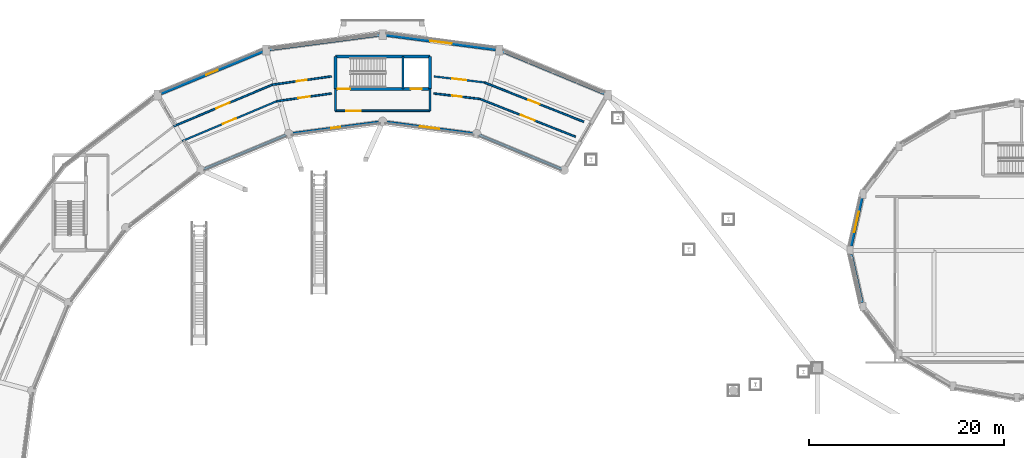
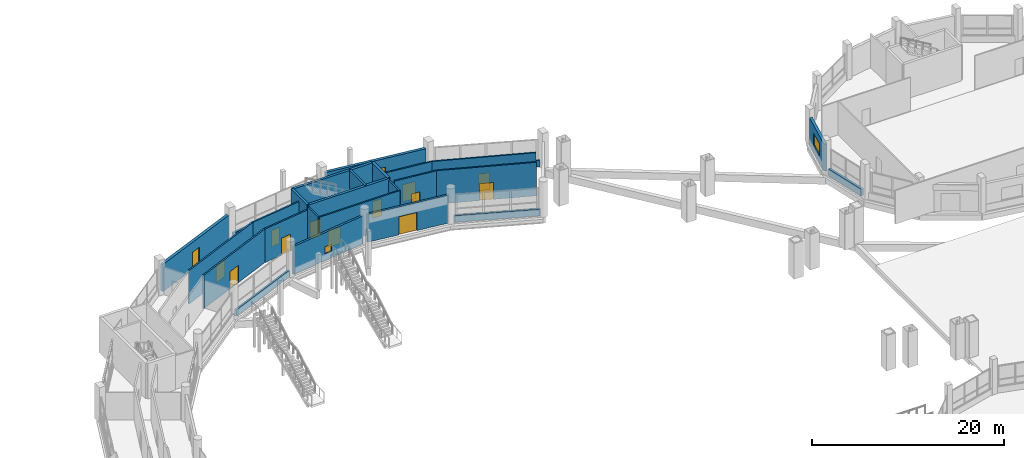
# One storey, part 110 of 129: 26 walls, 14 doors, 2 windows, 16 openings.
"""IFC4 building model written with IfcOpenShell, lengths in metres."""

from ifc_helpers import new_model, si_unit, direction, frame, frame_2d, origin, place, context, subcontext, project, spatial, rectangle, extrude, material, layer, layer_set, type_object, element, fill, save


model = new_model("IFC4")

# Units and contexts
model_context = context("Model", 3, precision=1e-05, world=origin(), true_north=direction((0.0, 1.0)))
body_context = subcontext(model_context, "Body", "Model", "MODEL_VIEW")
ifc_project = project(units=[si_unit("LENGTHUNIT", "METRE"), si_unit("AREAUNIT", "SQUARE_METRE"), si_unit("VOLUMEUNIT", "CUBIC_METRE"), si_unit("PLANEANGLEUNIT", "RADIAN"), si_unit("MASSUNIT", "GRAM", prefix="KILO")], contexts=[model_context])

# Site, building, storey
site_placement = place(None, origin())
site = spatial("IfcSite", under=ifc_project, at=site_placement, CompositionType="ELEMENT")
building_placement = place(site_placement, origin())
building = spatial("IfcBuilding", under=site, at=building_placement, Name="Vespera Passage Community Centre", CompositionType="ELEMENT")
storey_placement = place(building_placement, origin())
storey = spatial("IfcBuildingStorey", under=building, at=storey_placement, Name="L00", CompositionType="ELEMENT", Elevation=0.0)

# Wall, openings, doors
ifc_material_1 = material(Name="Concrete f'c 45 MPa", Category="concrete")
ifc_layer_1 = layer(ifc_material_1, 0.300048828125)
ifc_layer_set_1 = layer_set([ifc_layer_1], Name="Concrete f'c 45 MPa")
wall_type_1 = type_object("IfcWallType", Name="WT-CORE-300I", PredefinedType="SHEAR", material=ifc_layer_set_1)
wall_1_placement = place(storey_placement, frame((82.844970703125, 106.050048828125, 0.0), z_axis=(0.0, 0.0, 1.0), x_axis=(-1.0, 0.0, 0.0)))
wall_1 = element("IfcWall", 1, at=wall_1_placement, inside=storey, type_object=wall_type_1, Name="Core C4 L00 Shear Wall FRONT", PredefinedType="SHEAR", context=body_context, shape_type="SweptSolid", body=[
    extrude(rectangle(XDim=9.68994140625, YDim=0.300048828125, at=frame_2d((4.844970703125, 0.0))), origin(), (0.0, 0.0, 1.0), 4.5),
])
opening_1_placement = place(wall_1_placement, frame((8.169921875, 0.0, 0.0)))
opening_1 = element("IfcOpeningElement", 2, at=opening_1_placement, cuts=wall_1, Name="Opening DT-STAIR-130", PredefinedType="OPENING", context=body_context, shape_type="SweptSolid", body=[
    extrude(rectangle(XDim=1.300048828125, YDim=2.14990234375, at=frame_2d((0.64990234375, 1.074951171875))), frame((0.0, 0.159912109375, 0.0), z_axis=(0.0, -1.0, 0.0), x_axis=(1.0, 0.0, 0.0)), (0.0, 0.0, 1.0), 0.320068359375),
])
opening_2_placement = place(wall_1_placement, frame((0.85009765625, 0.0, 0.0)))
opening_2 = element("IfcOpeningElement", 3, at=opening_2_placement, cuts=wall_1, Name="Opening DT-LIFT-110", PredefinedType="OPENING", context=body_context, shape_type="SweptSolid", body=[
    extrude(rectangle(XDim=1.10009765625, YDim=2.14990234375, at=frame_2d((0.550048828125, 1.074951171875))), frame((0.0, 0.159912109375, 0.0), z_axis=(0.0, -1.0, 0.0), x_axis=(1.0, 0.0, 0.0)), (0.0, 0.0, 1.0), 0.320068359375),
])
ifc_material_2 = material(Name="Painted hollow-metal acoustic door", Category="steel")
door_type_1 = type_object("IfcDoorType", Name="DT-LIFT-110", OperationType="NOTDEFINED", PredefinedType="DOOR", material=ifc_material_2)
door_1_placement = place(opening_2_placement, origin())
door_1 = element("IfcDoor", 4, at=door_1_placement, inside=storey, type_object=door_type_1, Name="Elevator EL-02 L00 Landing Door LD-017", OperationType="SLIDING_TO_LEFT", OverallHeight=2.14990234375, OverallWidth=1.10009765625, PredefinedType="DOOR", context=body_context, shape_type="SweptSolid", body=[
    extrude(rectangle(XDim=1.10009765625, YDim=2.14990234375, at=frame_2d((0.550048828125, 1.074951171875))), frame((0.0, 0.02490234375, 0.0), z_axis=(0.0, -1.0, 0.0), x_axis=(1.0, 0.0, 0.0)), (0.0, 0.0, 1.0), 0.050048828125),
])
fill(opening_2, door_1)
ifc_material_3 = material(Name="Painted hollow-metal acoustic door", Category="steel")
door_type_2 = type_object("IfcDoorType", Name="DT-STAIR-130", OperationType="NOTDEFINED", PredefinedType="DOOR", material=ifc_material_3)
door_2_placement = place(opening_1_placement, origin())
door_2 = element("IfcDoor", 5, at=door_2_placement, inside=storey, type_object=door_type_2, Name="Core C4 L00 Exit Stair Door D-088", OperationType="SINGLE_SWING_RIGHT", OverallHeight=2.14990234375, OverallWidth=1.300048828125, PredefinedType="DOOR", context=body_context, shape_type="SweptSolid", body=[
    extrude(rectangle(XDim=1.300048828125, YDim=2.14990234375, at=frame_2d((0.64990234375, 1.074951171875))), frame((0.0, 0.02490234375, 0.0), z_axis=(0.0, -1.0, 0.0), x_axis=(1.0, 0.0, 0.0)), (0.0, 0.0, 1.0), 0.050048828125),
])
fill(opening_1, door_2)

# Walls
wall_2_placement = place(storey_placement, frame((73.155029296875, 106.050048828125, 0.0), z_axis=(0.0, 0.0, 1.0), x_axis=(0.0, 1.0, 0.0)))
element("IfcWall", 6, at=wall_2_placement, inside=storey, type_object=wall_type_1, Name="Core C4 L00 Shear Wall LEFT", PredefinedType="SHEAR", context=body_context, shape_type="SweptSolid", body=[
    extrude(rectangle(XDim=3.300048828125, YDim=0.300048828125, at=frame_2d((1.64990234375, 0.0))), origin(), (0.0, 0.0, 1.0), 4.5),
])
wall_3_placement = place(storey_placement, frame((73.155029296875, 109.35009765625, 0.0), z_axis=(0.0, 0.0, 1.0), x_axis=(1.0, 0.0, 0.0)))
element("IfcWall", 7, at=wall_3_placement, inside=storey, type_object=wall_type_1, Name="Core C4 L00 Shear Wall BACK", PredefinedType="SHEAR", context=body_context, shape_type="SweptSolid", body=[
    extrude(rectangle(XDim=9.68994140625, YDim=0.300048828125, at=frame_2d((4.844970703125, 0.0))), origin(), (0.0, 0.0, 1.0), 4.5),
])
wall_4_placement = place(storey_placement, frame((82.844970703125, 109.35009765625, 0.0), z_axis=(0.0, 0.0, 1.0), x_axis=(0.0, -1.0, 0.0)))
element("IfcWall", 8, at=wall_4_placement, inside=storey, type_object=wall_type_1, Name="Core C4 L00 Shear Wall RIGHT", PredefinedType="SHEAR", context=body_context, shape_type="SweptSolid", body=[
    extrude(rectangle(XDim=3.300048828125, YDim=0.300048828125, at=frame_2d((1.64990234375, 0.0))), origin(), (0.0, 0.0, 1.0), 4.5),
])

# Wall, opening, door
ifc_material_4 = material(Name="Gypsum board acoustic stud partition")
ifc_layer_2 = layer(ifc_material_4, 0.179931640625)
ifc_layer_set_2 = layer_set([ifc_layer_2], Name="Gypsum board acoustic stud partition")
wall_type_2 = type_object("IfcWallType", Name="WT-CORR-180I", PredefinedType="PARTITIONING", material=ifc_layer_set_2)
wall_5_placement = place(storey_placement, frame((73.155029296875, 103.800048828125, 0.0), z_axis=(0.0, 0.0, 1.0), x_axis=(1.0, 0.0, 0.0)))
wall_5 = element("IfcWall", 9, at=wall_5_placement, inside=storey, type_object=wall_type_2, Name="Core C4 L00 Lift Lobby Front Wall", PredefinedType="PARTITIONING", context=body_context, shape_type="SweptSolid", body=[
    extrude(rectangle(XDim=9.68994140625, YDim=0.179931640625, at=frame_2d((4.844970703125, 0.0))), origin(), (0.0, 0.0, 1.0), 4.2548828125),
])
opening_3_placement = place(wall_5_placement, frame((1.10009765625, 0.0, 0.0)))
opening_3 = element("IfcOpeningElement", 10, at=opening_3_placement, cuts=wall_5, Name="Opening DT-CORR-150", PredefinedType="OPENING", context=body_context, shape_type="SweptSolid", body=[
    extrude(rectangle(XDim=1.5, YDim=2.14990234375, at=frame_2d((0.75, 1.074951171875))), frame((0.0, 0.099853515625, 0.0), z_axis=(0.0, -1.0, 0.0), x_axis=(1.0, 0.0, 0.0)), (0.0, 0.0, 1.0), 0.199951171875),
])
ifc_material_5 = material(Name="Painted hollow-metal acoustic door", Category="steel")
door_type_3 = type_object("IfcDoorType", Name="DT-CORR-150", OperationType="NOTDEFINED", PredefinedType="DOOR", material=ifc_material_5)
door_3_placement = place(opening_3_placement, origin())
door_3 = element("IfcDoor", 11, at=door_3_placement, inside=storey, type_object=door_type_3, Name="Core C4 L00 Lift Lobby Door D-089", OperationType="SINGLE_SWING_LEFT", OverallHeight=2.14990234375, OverallWidth=1.5, PredefinedType="DOOR", context=body_context, shape_type="SweptSolid", body=[
    extrude(rectangle(XDim=1.5, YDim=2.14990234375, at=frame_2d((0.75, 1.074951171875))), frame((0.0, 0.02490234375, 0.0), z_axis=(0.0, -1.0, 0.0), x_axis=(1.0, 0.0, 0.0)), (0.0, 0.0, 1.0), 0.050048828125),
])
fill(opening_3, door_3)

# Walls
for number, where, z_axis, x_axis, name in (
    (12, (73.155029296875, 106.050048828125, 0.0), (0.0, 0.0, 1.0), (0.0, -1.0, 0.0), "Core C4 L00 Lift Lobby Side Wall L"),
    (13, (82.844970703125, 106.050048828125, 0.0), (0.0, 0.0, 1.0), (0.0, -1.0, 0.0), "Core C4 L00 Lift Lobby Side Wall R"),
):
    element("IfcWall", number, at=place(storey_placement, frame(where, z_axis=z_axis, x_axis=x_axis)), inside=storey, type_object=wall_type_2, Name=name, PredefinedType="PARTITIONING", context=body_context, shape_type="SweptSolid", body=[
        extrude(rectangle(XDim=2.25, YDim=0.179931640625, at=frame_2d((1.125, 0.0))), origin(), (0.0, 0.0, 1.0), 4.2548828125),
    ])

# Wall, opening, door
wall_6_placement = place(storey_placement, frame((98.6044921875, 102.67138671875, 0.0), z_axis=(0.0, 0.0, 1.0), x_axis=(-0.92984059227, 0.367962597238, 0.0)))
wall_6 = element("IfcWall", 14, at=wall_6_placement, inside=storey, type_object=wall_type_2, Name="L00 Interior Partition V4-L00-CO01.1", PredefinedType="PARTITIONING", context=body_context, shape_type="SweptSolid", body=[
    extrude(rectangle(XDim=10.9609375, YDim=0.179931640625, at=frame_2d((5.48046875, 0.0))), origin(), (0.0, 0.0, 1.0), 4.2548828125),
])
opening_4_placement = place(wall_6_placement, frame((4.880615234375, 0.0, 0.0)))
opening_4 = element("IfcOpeningElement", 15, at=opening_4_placement, cuts=wall_6, Name="Opening DT-CORR-120", PredefinedType="OPENING", context=body_context, shape_type="SweptSolid", body=[
    extrude(rectangle(XDim=1.199951171875, YDim=2.14990234375, at=frame_2d((0.60009765625, 1.074951171875))), frame((0.0, 0.099853515625, 0.0), z_axis=(0.0, -1.0, 0.0), x_axis=(1.0, 0.0, 0.0)), (0.0, 0.0, 1.0), 0.199951171875),
])
ifc_material_6 = material(Name="Painted hollow-metal acoustic door", Category="steel")
door_type_4 = type_object("IfcDoorType", Name="DT-CORR-120", OperationType="NOTDEFINED", PredefinedType="DOOR", material=ifc_material_6)
door_4_placement = place(opening_4_placement, origin())
door_4 = element("IfcDoor", 16, at=door_4_placement, inside=storey, type_object=door_type_4, Name="L00 Interior Door D-140", OperationType="SINGLE_SWING_RIGHT", OverallHeight=2.14990234375, OverallWidth=1.199951171875, PredefinedType="DOOR", context=body_context, shape_type="SweptSolid", body=[
    extrude(rectangle(XDim=1.199951171875, YDim=2.14990234375, at=frame_2d((0.60009765625, 1.074951171875))), frame((0.0, 0.02490234375, 0.0), z_axis=(0.0, -1.0, 0.0), x_axis=(1.0, 0.0, 0.0)), (0.0, 0.0, 1.0), 0.050048828125),
])
fill(opening_4, door_4)

wall_7_placement = place(storey_placement, frame((97.756103515625, 101.140869140625, 0.0), z_axis=(0.0, 0.0, 1.0), x_axis=(-0.92984171937, 0.367959749046, 0.0)))
wall_7 = element("IfcWall", 17, at=wall_7_placement, inside=storey, type_object=wall_type_2, Name="L00 Interior Partition V4-L00-CI01.1", PredefinedType="PARTITIONING", context=body_context, shape_type="SweptSolid", body=[
    extrude(rectangle(XDim=10.509765625, YDim=0.179931640625, at=frame_2d((5.2548828125, 0.0))), origin(), (0.0, 0.0, 1.0), 4.2548828125),
])
opening_5_placement = place(wall_7_placement, frame((4.5048828125, 0.0, 0.0)))
opening_5 = element("IfcOpeningElement", 18, at=opening_5_placement, cuts=wall_7, Name="Opening DT-CORR-150", PredefinedType="OPENING", context=body_context, shape_type="SweptSolid", body=[
    extrude(rectangle(XDim=1.5, YDim=2.14990234375, at=frame_2d((0.75, 1.074951171875))), frame((0.0, 0.099853515625, 0.0), z_axis=(0.0, -1.0, 0.0), x_axis=(1.0, 0.0, 0.0)), (0.0, 0.0, 1.0), 0.199951171875),
])
door_5_placement = place(opening_5_placement, origin())
door_5 = element("IfcDoor", 19, at=door_5_placement, inside=storey, type_object=door_type_3, Name="L00 Interior Door D-141", OperationType="SINGLE_SWING_LEFT", OverallHeight=2.14990234375, OverallWidth=1.5, PredefinedType="DOOR", context=body_context, shape_type="SweptSolid", body=[
    extrude(rectangle(XDim=1.5, YDim=2.14990234375, at=frame_2d((0.75, 1.074951171875))), frame((0.0, 0.02490234375, 0.0), z_axis=(0.0, -1.0, 0.0), x_axis=(1.0, 0.0, 0.0)), (0.0, 0.0, 1.0), 0.050048828125),
])
fill(opening_5, door_5)

wall_8_placement = place(storey_placement, frame((88.41259765625, 106.70458984375, 0.0), z_axis=(0.0, 0.0, 1.0), x_axis=(-0.993019970185, 0.117946338706, 0.0)))
wall_8 = element("IfcWall", 20, at=wall_8_placement, inside=storey, type_object=wall_type_2, Name="L00 Interior Partition V4-L00-CO02.1", PredefinedType="PARTITIONING", context=body_context, shape_type="SweptSolid", body=[
    extrude(rectangle(XDim=5.203857421875, YDim=0.179931640625, at=frame_2d((2.60205078125, 0.0))), origin(), (0.0, 0.0, 1.0), 4.2548828125),
])
opening_6_placement = place(wall_8_placement, frame((1.876953125, 0.0, 0.0)))
opening_6 = element("IfcOpeningElement", 21, at=opening_6_placement, cuts=wall_8, Name="Opening DT-PLANT-145", PredefinedType="OPENING", context=body_context, shape_type="SweptSolid", body=[
    extrude(rectangle(XDim=1.449951171875, YDim=2.199951171875, at=frame_2d((0.72509765625, 1.10009765625))), frame((0.0, 0.099853515625, 0.0), z_axis=(0.0, -1.0, 0.0), x_axis=(1.0, 0.0, 0.0)), (0.0, 0.0, 1.0), 0.199951171875),
])
ifc_material_7 = material(Name="Painted hollow-metal acoustic door", Category="steel")
door_type_5 = type_object("IfcDoorType", Name="DT-PLANT-145", OperationType="NOTDEFINED", PredefinedType="DOOR", material=ifc_material_7)
door_6_placement = place(opening_6_placement, origin())
door_6 = element("IfcDoor", 22, at=door_6_placement, inside=storey, type_object=door_type_5, Name="L00 Interior Door D-142", OperationType="SINGLE_SWING_RIGHT", OverallHeight=2.199951171875, OverallWidth=1.449951171875, PredefinedType="DOOR", context=body_context, shape_type="SweptSolid", body=[
    extrude(rectangle(XDim=1.449951171875, YDim=2.199951171875, at=frame_2d((0.72509765625, 1.10009765625))), frame((0.0, 0.02490234375, 0.0), z_axis=(0.0, -1.0, 0.0), x_axis=(1.0, 0.0, 0.0)), (0.0, 0.0, 1.0), 0.050048828125),
])
fill(opening_6, door_6)

wall_9_placement = place(storey_placement, frame((87.983642578125, 105.008056640625, 0.0), z_axis=(0.0, 0.0, 1.0), x_axis=(-0.993021837472, 0.117930616486, 0.0)))
wall_9 = element("IfcWall", 23, at=wall_9_placement, inside=storey, type_object=wall_type_2, Name="L00 Interior Partition V4-L00-CI02.1", PredefinedType="PARTITIONING", context=body_context, shape_type="SweptSolid", body=[
    extrude(rectangle(XDim=4.771728515625, YDim=0.179931640625, at=frame_2d((2.3857421875, 0.0))), origin(), (0.0, 0.0, 1.0), 4.2548828125),
])
opening_7_placement = place(wall_9_placement, frame((1.910888671875, 0.0, 0.0)))
opening_7 = element("IfcOpeningElement", 24, at=opening_7_placement, cuts=wall_9, Name="Opening DT-CORR-95", PredefinedType="OPENING", context=body_context, shape_type="SweptSolid", body=[
    extrude(rectangle(XDim=0.949951171875, YDim=2.10009765625, at=frame_2d((0.47509765625, 1.050048828125))), frame((0.0, 0.099853515625, 0.0), z_axis=(0.0, -1.0, 0.0), x_axis=(1.0, 0.0, 0.0)), (0.0, 0.0, 1.0), 0.199951171875),
])
ifc_material_8 = material(Name="Painted hollow-metal acoustic door", Category="steel")
door_type_6 = type_object("IfcDoorType", Name="DT-CORR-95", OperationType="NOTDEFINED", PredefinedType="DOOR", material=ifc_material_8)
door_7_placement = place(opening_7_placement, origin())
door_7 = element("IfcDoor", 25, at=door_7_placement, inside=storey, type_object=door_type_6, Name="L00 Interior Door D-143", OperationType="SINGLE_SWING_LEFT", OverallHeight=2.10009765625, OverallWidth=0.949951171875, PredefinedType="DOOR", context=body_context, shape_type="SweptSolid", body=[
    extrude(rectangle(XDim=0.949951171875, YDim=2.10009765625, at=frame_2d((0.47509765625, 1.050048828125))), frame((0.0, 0.02490234375, 0.0), z_axis=(0.0, -1.0, 0.0), x_axis=(1.0, 0.0, 0.0)), (0.0, 0.0, 1.0), 0.050048828125),
])
fill(opening_7, door_7)

wall_10_placement = place(storey_placement, frame((72.7548828125, 107.32275390625, 0.0), z_axis=(0.0, 0.0, 1.0), x_axis=(-0.990158330555, -0.139951707499, 0.0)))
wall_10 = element("IfcWall", 26, at=wall_10_placement, inside=storey, type_object=wall_type_2, Name="L00 Interior Partition V4-L00-CO03.1", PredefinedType="PARTITIONING", context=body_context, shape_type="SweptSolid", body=[
    extrude(rectangle(XDim=6.140625, YDim=0.179931640625, at=frame_2d((3.0703125, 0.0))), origin(), (0.0, 0.0, 1.0), 4.2548828125),
])
opening_8_placement = place(wall_10_placement, frame((2.54541015625, 0.0, 0.0)))
opening_8 = element("IfcOpeningElement", 27, at=opening_8_placement, cuts=wall_10, Name="Opening DT-CORR-105", PredefinedType="OPENING", context=body_context, shape_type="SweptSolid", body=[
    extrude(rectangle(XDim=1.050048828125, YDim=2.10009765625, at=frame_2d((0.52490234375, 1.050048828125))), frame((0.0, 0.099853515625, 0.0), z_axis=(0.0, -1.0, 0.0), x_axis=(1.0, 0.0, 0.0)), (0.0, 0.0, 1.0), 0.199951171875),
])
ifc_material_9 = material(Name="Painted hollow-metal acoustic door", Category="steel")
door_type_7 = type_object("IfcDoorType", Name="DT-CORR-105", OperationType="NOTDEFINED", PredefinedType="DOOR", material=ifc_material_9)
door_8_placement = place(opening_8_placement, origin())
door_8 = element("IfcDoor", 28, at=door_8_placement, inside=storey, type_object=door_type_7, Name="L00 Interior Door D-144", OperationType="SINGLE_SWING_RIGHT", OverallHeight=2.10009765625, OverallWidth=1.050048828125, PredefinedType="DOOR", context=body_context, shape_type="SweptSolid", body=[
    extrude(rectangle(XDim=1.050048828125, YDim=2.10009765625, at=frame_2d((0.52490234375, 1.050048828125))), frame((0.0, 0.02490234375, 0.0), z_axis=(0.0, -1.0, 0.0), x_axis=(1.0, 0.0, 0.0)), (0.0, 0.0, 1.0), 0.050048828125),
])
fill(opening_8, door_8)

wall_11_placement = place(storey_placement, frame((72.7548828125, 105.570068359375, 0.0), z_axis=(0.0, 0.0, 1.0), x_axis=(-0.990158541411, -0.13995021569, 0.0)))
wall_11 = element("IfcWall", 29, at=wall_11_placement, inside=storey, type_object=wall_type_2, Name="L00 Interior Partition V4-L00-CI03.1", PredefinedType="PARTITIONING", context=body_context, shape_type="SweptSolid", body=[
    extrude(rectangle(XDim=5.669677734375, YDim=0.179931640625, at=frame_2d((2.8349609375, 0.0))), origin(), (0.0, 0.0, 1.0), 4.2548828125),
])
opening_9_placement = place(wall_11_placement, frame((2.23486328125, 0.0, 0.0)))
opening_9 = element("IfcOpeningElement", 30, at=opening_9_placement, cuts=wall_11, Name="Opening DT-CORR-120", PredefinedType="OPENING", context=body_context, shape_type="SweptSolid", body=[
    extrude(rectangle(XDim=1.199951171875, YDim=2.14990234375, at=frame_2d((0.60009765625, 1.074951171875))), frame((0.0, 0.099853515625, 0.0), z_axis=(0.0, -1.0, 0.0), x_axis=(1.0, 0.0, 0.0)), (0.0, 0.0, 1.0), 0.199951171875),
])
door_9_placement = place(opening_9_placement, origin())
door_9 = element("IfcDoor", 31, at=door_9_placement, inside=storey, type_object=door_type_4, Name="L00 Interior Door D-145", OperationType="SINGLE_SWING_LEFT", OverallHeight=2.14990234375, OverallWidth=1.199951171875, PredefinedType="DOOR", context=body_context, shape_type="SweptSolid", body=[
    extrude(rectangle(XDim=1.199951171875, YDim=2.14990234375, at=frame_2d((0.60009765625, 1.074951171875))), frame((0.0, 0.02490234375, 0.0), z_axis=(0.0, -1.0, 0.0), x_axis=(1.0, 0.0, 0.0)), (0.0, 0.0, 1.0), 0.050048828125),
])
fill(opening_9, door_9)

wall_12_placement = place(storey_placement, frame((66.6748046875, 106.46337890625, 0.0), z_axis=(0.0, 0.0, 1.0), x_axis=(-0.921432324462, -0.388538893082, 0.0)))
wall_12 = element("IfcWall", 32, at=wall_12_placement, inside=storey, type_object=wall_type_2, Name="L00 Interior Partition V4-L00-CO04.1", PredefinedType="PARTITIONING", context=body_context, shape_type="SweptSolid", body=[
    extrude(rectangle(XDim=10.9609375, YDim=0.179931640625, at=frame_2d((5.48046875, 0.0))), origin(), (0.0, 0.0, 1.0), 4.2548828125),
])
opening_10_placement = place(wall_12_placement, frame((4.73046875, 0.0, 0.0)))
opening_10 = element("IfcOpeningElement", 33, at=opening_10_placement, cuts=wall_12, Name="Opening DT-CORR-150", PredefinedType="OPENING", context=body_context, shape_type="SweptSolid", body=[
    extrude(rectangle(XDim=1.5, YDim=2.14990234375, at=frame_2d((0.75, 1.074951171875))), frame((0.0, 0.099853515625, 0.0), z_axis=(0.0, -1.0, 0.0), x_axis=(1.0, 0.0, 0.0)), (0.0, 0.0, 1.0), 0.199951171875),
])
door_10_placement = place(opening_10_placement, origin())
door_10 = element("IfcDoor", 34, at=door_10_placement, inside=storey, type_object=door_type_3, Name="L00 Interior Door D-146", OperationType="SINGLE_SWING_RIGHT", OverallHeight=2.14990234375, OverallWidth=1.5, PredefinedType="DOOR", context=body_context, shape_type="SweptSolid", body=[
    extrude(rectangle(XDim=1.5, YDim=2.14990234375, at=frame_2d((0.75, 1.074951171875))), frame((0.0, 0.02490234375, 0.0), z_axis=(0.0, -1.0, 0.0), x_axis=(1.0, 0.0, 0.0)), (0.0, 0.0, 1.0), 0.050048828125),
])
fill(opening_10, door_10)

wall_13_placement = place(storey_placement, frame((67.14111328125, 104.776611328125, 0.0), z_axis=(0.0, 0.0, 1.0), x_axis=(-0.921427975161, -0.388549207426, 0.0)))
wall_13 = element("IfcWall", 35, at=wall_13_placement, inside=storey, type_object=wall_type_2, Name="L00 Interior Partition V4-L00-CI04.1", PredefinedType="PARTITIONING", context=body_context, shape_type="SweptSolid", body=[
    extrude(rectangle(XDim=10.509521484375, YDim=0.179931640625, at=frame_2d((5.2548828125, 0.0))), origin(), (0.0, 0.0, 1.0), 4.2548828125),
])
opening_11_placement = place(wall_13_placement, frame((4.52978515625, 0.0, 0.0)))
opening_11 = element("IfcOpeningElement", 36, at=opening_11_placement, cuts=wall_13, Name="Opening DT-PLANT-145", PredefinedType="OPENING", context=body_context, shape_type="SweptSolid", body=[
    extrude(rectangle(XDim=1.449951171875, YDim=2.199951171875, at=frame_2d((0.72509765625, 1.10009765625))), frame((0.0, 0.099853515625, 0.0), z_axis=(0.0, -1.0, 0.0), x_axis=(1.0, 0.0, 0.0)), (0.0, 0.0, 1.0), 0.199951171875),
])
door_11_placement = place(opening_11_placement, origin())
door_11 = element("IfcDoor", 37, at=door_11_placement, inside=storey, type_object=door_type_5, Name="L00 Interior Door D-147", OperationType="SINGLE_SWING_LEFT", OverallHeight=2.199951171875, OverallWidth=1.449951171875, PredefinedType="DOOR", context=body_context, shape_type="SweptSolid", body=[
    extrude(rectangle(XDim=1.449951171875, YDim=2.199951171875, at=frame_2d((0.72509765625, 1.10009765625))), frame((0.0, 0.02490234375, 0.0), z_axis=(0.0, -1.0, 0.0), x_axis=(1.0, 0.0, 0.0)), (0.0, 0.0, 1.0), 0.050048828125),
])
fill(opening_11, door_11)

# Walls
ifc_material_10 = material(Name="Concrete f'c 45 MPa", Category="concrete")
ifc_layer_3 = layer(ifc_material_10, 0.239990234375)
ifc_layer_set_3 = layer_set([ifc_layer_3], Name="Concrete f'c 45 MPa")
wall_type_3 = type_object("IfcWallType", Name="WT-DIV-240I", PredefinedType="SHEAR", material=ifc_layer_set_3)
wall_14_placement = place(storey_placement, frame((80.074951171875, 106.050048828125, 0.0), z_axis=(0.0, 0.0, 1.0), x_axis=(0.0, 1.0, 0.0)))
element("IfcWall", 38, at=wall_14_placement, inside=storey, type_object=wall_type_3, Name="Core C4 L00 Hoistway Divider Wall", PredefinedType="SHEAR", context=body_context, shape_type="SweptSolid", body=[
    extrude(rectangle(XDim=3.300048828125, YDim=0.239990234375, at=frame_2d((1.64990234375, 0.0))), origin(), (0.0, 0.0, 1.0), 4.5),
])
ifc_material_11 = material(Name="Precast concrete f'c 40 MPa", Category="concrete")
ifc_layer_4 = layer(ifc_material_11, 0.25)
ifc_layer_set_4 = layer_set([ifc_layer_4], Name="Precast concrete f'c 40 MPa")
wall_type_4 = type_object("IfcWallType", Name="WT-EXT-250E", PredefinedType="STANDARD", material=ifc_layer_set_4)
wall_15_placement = place(storey_placement, frame((96.322998046875, 97.830810546875, 0.0), z_axis=(0.0, 0.0, 1.0), x_axis=(-0.923880324771, 0.382681519675, 0.0)))
element("IfcWall", 39, at=wall_15_placement, inside=storey, type_object=wall_type_4, Name="V4 L00 Court Spandrel Wall I4", PredefinedType="STANDARD", context=body_context, shape_type="SweptSolid", body=[
    extrude(rectangle(XDim=9.111572265625, YDim=0.25, at=frame_2d((4.5556640625, 0.0))), origin(), (0.0, 0.0, 1.0), 0.820068359375),
])

# Wall, opening, door
wall_16_placement = place(storey_placement, frame((87.352783203125, 101.468505859375, 0.0), z_axis=(0.0, 0.0, 1.0), x_axis=(-0.991441766434, 0.130549698469, 0.0)))
wall_16 = element("IfcWall", 40, at=wall_16_placement, inside=storey, type_object=wall_type_4, Name="V4 L00 Inner Court Precast Wall 5", PredefinedType="STANDARD", context=body_context, shape_type="SweptSolid", body=[
    extrude(rectangle(XDim=9.156005859375, YDim=0.25, at=frame_2d((4.578125, 0.0))), origin(), (0.0, 0.0, 1.0), 3.54931640625),
])
opening_12_placement = place(wall_16_placement, frame((3.577880859375, 0.0, 0.0)))
opening_12 = element("IfcOpeningElement", 41, at=opening_12_placement, cuts=wall_16, Name="Opening DT-E06", PredefinedType="OPENING", context=body_context, shape_type="SweptSolid", body=[
    extrude(rectangle(XDim=2.0, YDim=2.300048828125, at=frame_2d((1.0, 1.14990234375))), frame((0.0, 0.135009765625, 0.0), z_axis=(0.0, -1.0, 0.0), x_axis=(1.0, 0.0, 0.0)), (0.0, 0.0, 1.0), 0.27001953125),
])
ifc_material_12 = material(Name="Anodized aluminium 6063-T6", Category="aluminium")
door_type_8 = type_object("IfcDoorType", Name="DT-E06", OperationType="NOTDEFINED", PredefinedType="DOOR", material=ifc_material_12)
door_12_placement = place(opening_12_placement, origin())
door_12 = element("IfcDoor", 42, at=door_12_placement, inside=storey, type_object=door_type_8, Name="Sun Court Portal Exit Door I5", OperationType="SINGLE_SWING_LEFT", OverallHeight=2.300048828125, OverallWidth=2.0, PredefinedType="DOOR", context=body_context, shape_type="SweptSolid", body=[
    extrude(rectangle(XDim=2.0, YDim=2.300048828125, at=frame_2d((1.0, 1.14990234375))), frame((0.0, 0.02490234375, 0.0), z_axis=(0.0, -1.0, 0.0), x_axis=(1.0, 0.0, 0.0)), (0.0, 0.0, 1.0), 0.050048828125),
])
fill(opening_12, door_12)

# Wall, opening, window
wall_17_placement = place(storey_placement, frame((77.724853515625, 102.663818359375, 0.0), z_axis=(0.0, 0.0, 1.0), x_axis=(-0.991441766434, -0.130549698469, 0.0)))
wall_17 = element("IfcWall", 43, at=wall_17_placement, inside=storey, type_object=wall_type_4, Name="V4 L00 Inner Court Precast Wall 6", PredefinedType="STANDARD", context=body_context, shape_type="SweptSolid", body=[
    extrude(rectangle(XDim=9.156005859375, YDim=0.25, at=frame_2d((4.578125, 0.0))), origin(), (0.0, 0.0, 1.0), 3.54931640625),
])
opening_13_placement = place(wall_17_placement, frame((4.1279296875, 0.0, 0.85009765625)))
opening_13 = element("IfcOpeningElement", 44, at=opening_13_placement, cuts=wall_17, Name="Opening WN-01E", PredefinedType="OPENING", context=body_context, shape_type="SweptSolid", body=[
    extrude(rectangle(XDim=0.89990234375, YDim=0.89990234375, at=frame_2d((0.449951171875, 0.449951171875))), frame((0.0, 0.135009765625, 0.0), z_axis=(0.0, -1.0, 0.0), x_axis=(1.0, 0.0, 0.0)), (0.0, 0.0, 1.0), 0.27001953125),
])
ifc_material_13 = material(Name="Low-E insulated vision glass", Category="glass")
window_type_1 = type_object("IfcWindowType", Name="WN-01E", PartitioningType="SINGLE_PANEL", PredefinedType="WINDOW", material=ifc_material_13)
window_1_placement = place(opening_13_placement, origin())
window_1 = element("IfcWindow", 45, at=window_1_placement, inside=storey, type_object=window_type_1, Name="Window WN-V4-L00-I06", OverallHeight=0.89990234375, OverallWidth=0.89990234375, PartitioningType="SINGLE_PANEL", PredefinedType="WINDOW", context=body_context, shape_type="SweptSolid", body=[
    extrude(rectangle(XDim=0.89990234375, YDim=0.89990234375, at=frame_2d((0.449951171875, 0.449951171875))), frame((0.0, 0.030029296875, 0.0), z_axis=(0.0, -1.0, 0.0), x_axis=(1.0, 0.0, 0.0)), (0.0, 0.0, 1.0), 0.06005859375),
])
fill(opening_13, window_1)

# Walls
wall_18_placement = place(storey_placement, frame((68.094970703125, 101.317626953125, 0.0), z_axis=(0.0, 0.0, 1.0), x_axis=(-0.923880324771, -0.382681519675, 0.0)))
element("IfcWall", 46, at=wall_18_placement, inside=storey, type_object=wall_type_4, Name="V4 L00 Court Spandrel Wall I7", PredefinedType="STANDARD", context=body_context, shape_type="SweptSolid", body=[
    extrude(rectangle(XDim=9.111572265625, YDim=0.25, at=frame_2d((4.5556640625, 0.0))), origin(), (0.0, 0.0, 1.0), 0.820068359375),
])
ifc_material_14 = material(Name="Precast concrete f'c 40 MPa", Category="concrete")
ifc_layer_5 = layer(ifc_material_14, 0.280029296875)
ifc_layer_set_5 = layer_set([ifc_layer_5], Name="Precast concrete f'c 40 MPa")
wall_type_5 = type_object("IfcWallType", Name="WT-EXT-280E", PredefinedType="STANDARD", material=ifc_layer_set_5)
wall_19_placement = place(storey_placement, frame((90.283447265625, 109.88330078125, 0.0), z_axis=(0.0, 0.0, 1.0), x_axis=(0.923883530636, -0.382673779896, 0.0)))
element("IfcWall", 47, at=wall_19_placement, inside=storey, type_object=wall_type_5, Name="V4 L00 Spandrel Wall O4", PredefinedType="STANDARD", context=body_context, shape_type="SweptSolid", body=[
    extrude(rectangle(XDim=11.2724609375, YDim=0.280029296875, at=frame_2d((5.63623046875, 0.0))), origin(), (0.0, 0.0, 1.0), 0.820068359375),
])
wall_20_placement = place(storey_placement, frame((66.418701171875, 110.0751953125, 0.0), z_axis=(0.0, 0.0, 1.0), x_axis=(0.991443215359, 0.130538694334, 0.0)))
element("IfcWall", 48, at=wall_20_placement, inside=storey, type_object=wall_type_5, Name="V4 L00 Spandrel Wall O6", PredefinedType="STANDARD", context=body_context, shape_type="SweptSolid", body=[
    extrude(rectangle(XDim=11.328125, YDim=0.280029296875, at=frame_2d((5.6640625, 0.0))), origin(), (0.0, 0.0, 1.0), 0.820068359375),
])

# Wall, opening, door
ifc_material_15 = material(Name="Precast concrete f'c 40 MPa", Category="concrete")
ifc_layer_6 = layer(ifc_material_15, 0.320068359375)
ifc_layer_set_6 = layer_set([ifc_layer_6], Name="Precast concrete f'c 40 MPa")
wall_type_6 = type_object("IfcWallType", Name="WT-EXT-320E", PredefinedType="STANDARD", material=ifc_layer_set_6)
wall_21_placement = place(storey_placement, frame((78.35009765625, 111.553955078125, 0.0), z_axis=(0.0, 0.0, 1.0), x_axis=(0.991443215359, -0.130538694334, 0.0)))
wall_21 = element("IfcWall", 49, at=wall_21_placement, inside=storey, type_object=wall_type_6, Name="V4 L00 Outer Precast Wall 5", PredefinedType="STANDARD", context=body_context, shape_type="SweptSolid", body=[
    extrude(rectangle(XDim=11.328125, YDim=0.320068359375, at=frame_2d((5.6640625, 0.0))), origin(), (0.0, 0.0, 1.0), 3.465576171875),
])
opening_14_placement = place(wall_21_placement, frame((4.564208984375, 0.0, 0.0)))
opening_14 = element("IfcOpeningElement", 50, at=opening_14_placement, cuts=wall_21, Name="Opening DT-E07", PredefinedType="OPENING", context=body_context, shape_type="SweptSolid", body=[
    extrude(rectangle(XDim=2.199951171875, YDim=2.35009765625, at=frame_2d((1.10009765625, 1.175048828125))), frame((0.0, 0.170166015625, 0.0), z_axis=(0.0, -1.0, 0.0), x_axis=(1.0, 0.0, 0.0)), (0.0, 0.0, 1.0), 0.340087890625),
])
ifc_material_16 = material(Name="Anodized aluminium 6063-T6", Category="aluminium")
door_type_9 = type_object("IfcDoorType", Name="DT-E07", OperationType="NOTDEFINED", PredefinedType="DOOR", material=ifc_material_16)
door_13_placement = place(opening_14_placement, origin())
door_13 = element("IfcDoor", 51, at=door_13_placement, inside=storey, type_object=door_type_9, Name="V4 L00 Exterior Exit Door O5", OperationType="SINGLE_SWING_RIGHT", OverallHeight=2.35009765625, OverallWidth=2.199951171875, PredefinedType="DOOR", context=body_context, shape_type="SweptSolid", body=[
    extrude(rectangle(XDim=2.199951171875, YDim=2.35009765625, at=frame_2d((1.10009765625, 1.175048828125))), frame((0.0, 0.02490234375, 0.0), z_axis=(0.0, -1.0, 0.0), x_axis=(1.0, 0.0, 0.0)), (0.0, 0.0, 1.0), 0.050048828125),
])
fill(opening_14, door_13)

wall_22_placement = place(storey_placement, frame((55.302001953125, 105.569580078125, 0.0), z_axis=(0.0, 0.0, 1.0), x_axis=(0.923883530636, 0.382673779896, 0.0)))
wall_22 = element("IfcWall", 52, at=wall_22_placement, inside=storey, type_object=wall_type_6, Name="V4 L00 Outer Precast Wall 7", PredefinedType="STANDARD", context=body_context, shape_type="SweptSolid", body=[
    extrude(rectangle(XDim=11.2724609375, YDim=0.320068359375, at=frame_2d((5.63623046875, 0.0))), origin(), (0.0, 0.0, 1.0), 3.465576171875),
])
opening_15_placement = place(wall_22_placement, frame((5.01123046875, 0.0, 0.0)))
opening_15 = element("IfcOpeningElement", 53, at=opening_15_placement, cuts=wall_22, Name="Opening DT-E03", PredefinedType="OPENING", context=body_context, shape_type="SweptSolid", body=[
    extrude(rectangle(XDim=1.25, YDim=2.199951171875, at=frame_2d((0.625, 1.10009765625))), frame((0.0, 0.170166015625, 0.0), z_axis=(0.0, -1.0, 0.0), x_axis=(1.0, 0.0, 0.0)), (0.0, 0.0, 1.0), 0.340087890625),
])
ifc_material_17 = material(Name="Anodized aluminium 6063-T6", Category="aluminium")
door_type_10 = type_object("IfcDoorType", Name="DT-E03", OperationType="NOTDEFINED", PredefinedType="DOOR", material=ifc_material_17)
door_14_placement = place(opening_15_placement, origin())
door_14 = element("IfcDoor", 54, at=door_14_placement, inside=storey, type_object=door_type_10, Name="V4 L00 Exterior Exit Door O7", OperationType="SINGLE_SWING_RIGHT", OverallHeight=2.199951171875, OverallWidth=1.25, PredefinedType="DOOR", context=body_context, shape_type="SweptSolid", body=[
    extrude(rectangle(XDim=1.25, YDim=2.199951171875, at=frame_2d((0.625, 1.10009765625))), frame((0.0, 0.02490234375, 0.0), z_axis=(0.0, -1.0, 0.0), x_axis=(1.0, 0.0, 0.0)), (0.0, 0.0, 1.0), 0.050048828125),
])
fill(opening_15, door_14)

# Wall, opening, window
wall_23_placement = place(storey_placement, frame((125.995849609375, 89.925537109375, 0.0), z_axis=(0.0, 0.0, 1.0), x_axis=(0.219744533343, 0.97555745093, 0.0)))
wall_23 = element("IfcWall", 55, at=wall_23_placement, inside=storey, type_object=wall_type_6, Name="V2 L00 Facade Wall 8", PredefinedType="STANDARD", context=body_context, shape_type="SweptSolid", body=[
    extrude(rectangle(XDim=5.05078125, YDim=0.320068359375, at=frame_2d((2.525390625, 0.0))), origin(), (0.0, 0.0, 1.0), 3.445068359375),
])
opening_16_placement = place(wall_23_placement, frame((1.450439453125, 0.0, 0.89990234375)))
opening_16 = element("IfcOpeningElement", 56, at=opening_16_placement, cuts=wall_23, Name="Opening WN-13E", PredefinedType="OPENING", context=body_context, shape_type="SweptSolid", body=[
    extrude(rectangle(XDim=2.14990234375, YDim=1.550048828125, at=frame_2d((1.074951171875, 0.77490234375))), frame((0.0, 0.170166015625, 0.0), z_axis=(0.0, -1.0, 0.0), x_axis=(1.0, 0.0, 0.0)), (0.0, 0.0, 1.0), 0.340087890625),
])
ifc_material_18 = material(Name="Low-E insulated vision glass", Category="glass")
window_type_2 = type_object("IfcWindowType", Name="WN-13E", PartitioningType="SINGLE_PANEL", PredefinedType="WINDOW", material=ifc_material_18)
window_2_placement = place(opening_16_placement, origin())
window_2 = element("IfcWindow", 57, at=window_2_placement, inside=storey, type_object=window_type_2, Name="Window WN-V2-L00-P08", OverallHeight=1.550048828125, OverallWidth=2.14990234375, PartitioningType="SINGLE_PANEL", PredefinedType="WINDOW", context=body_context, shape_type="SweptSolid", body=[
    extrude(rectangle(XDim=2.14990234375, YDim=1.550048828125, at=frame_2d((1.074951171875, 0.77490234375))), frame((0.0, 0.030029296875, 0.0), z_axis=(0.0, -1.0, 0.0), x_axis=(1.0, 0.0, 0.0)), (0.0, 0.0, 1.0), 0.06005859375),
])
fill(opening_16, window_2)

# Wall
wall_24_placement = place(storey_placement, frame((127.105712890625, 84.147216796875, 0.0), z_axis=(0.0, 0.0, 1.0), x_axis=(-0.219744533343, 0.97555745093, 0.0)))
element("IfcWall", 58, at=wall_24_placement, inside=storey, type_object=wall_type_6, Name="V2 L00 Spandrel 9", PredefinedType="STANDARD", context=body_context, shape_type="SweptSolid", body=[
    extrude(rectangle(XDim=5.05078125, YDim=0.320068359375, at=frame_2d((2.525390625, 0.0))), origin(), (0.0, 0.0, 1.0), 0.85009765625),
])

save(model, "model.ifc")
